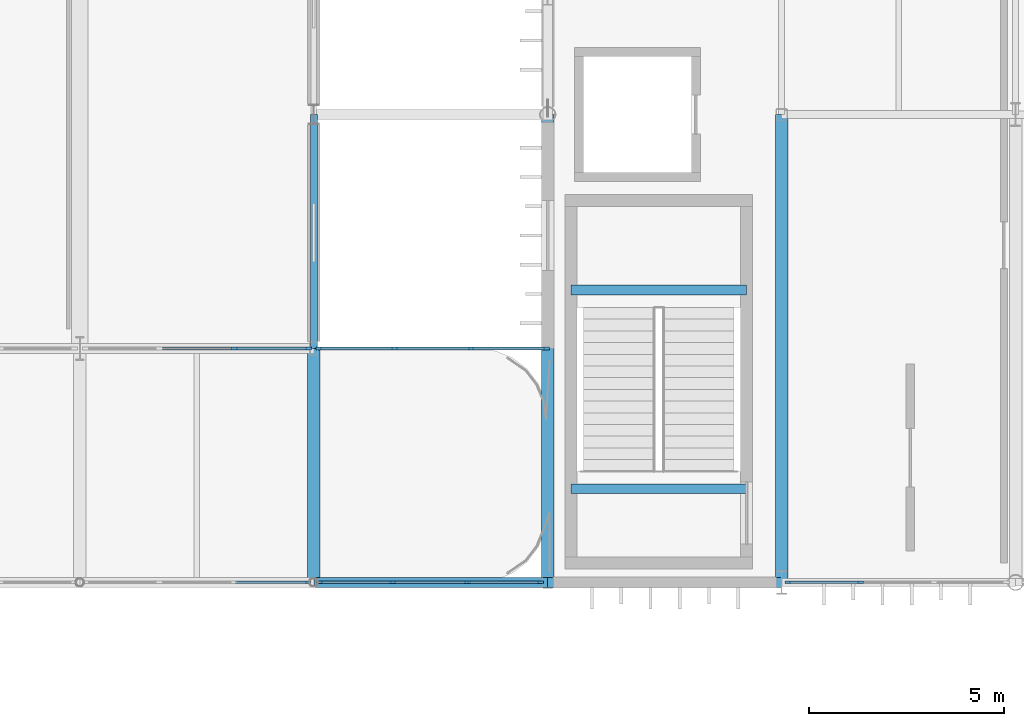
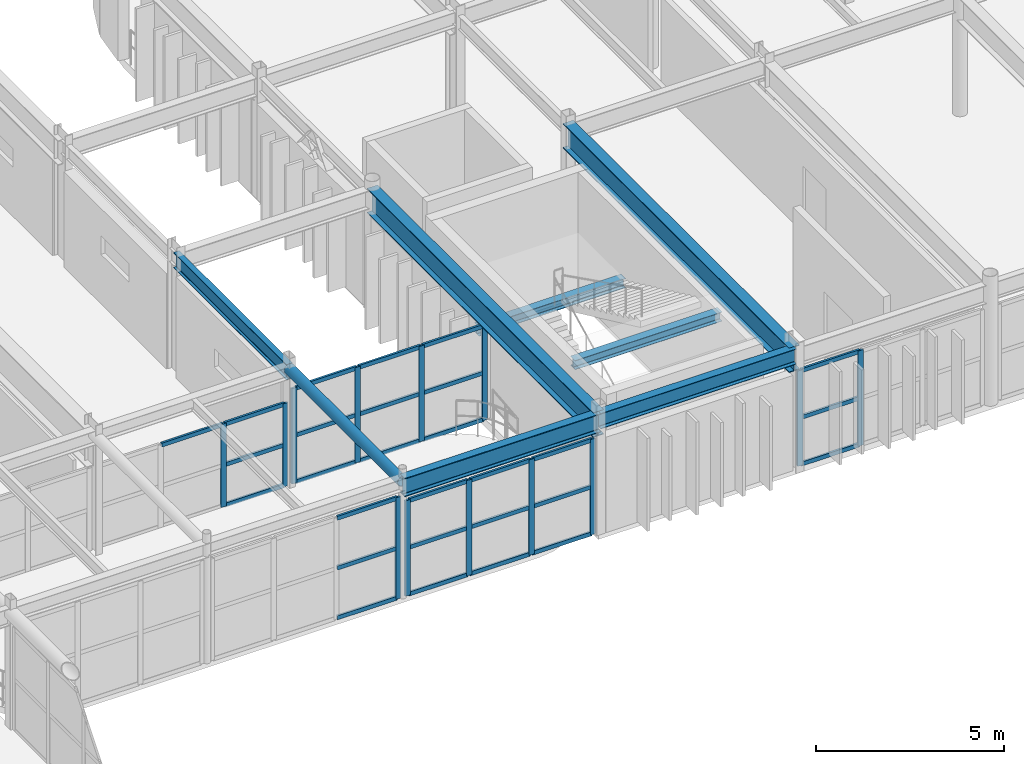
# One storey, part 64 of 116: 41 members, 8 beams, 5 elements without a shape of their own.
"""IFC4 building model written with IfcOpenShell, lengths in metres."""

from ifc_helpers import new_model, si_unit, direction, frame, origin, origin_2d, place, context, subcontext, project, spatial, rectangle, hollow_circle, i_section, extrude, material, material_profile, profile_set, type_object, element, aggregate, save


model = new_model("IFC4")

# Units and contexts
model_context = context("Model", 3, precision=1e-05, world=origin(), true_north=direction((0.0, 1.0)))
body_context = subcontext(model_context, "Body", "Model", "MODEL_VIEW")
ifc_project = project(units=[si_unit("LENGTHUNIT", "METRE"), si_unit("AREAUNIT", "SQUARE_METRE"), si_unit("VOLUMEUNIT", "CUBIC_METRE"), si_unit("PLANEANGLEUNIT", "RADIAN"), si_unit("MASSUNIT", "GRAM", prefix="KILO")], contexts=[model_context])

# Site, building, storey
site_placement = place(None, origin())
site = spatial("IfcSite", under=ifc_project, at=site_placement, CompositionType="ELEMENT")
building_placement = place(site_placement, origin())
building = spatial("IfcBuilding", under=site, at=building_placement, Name="Varnakota Square Police Headquarters", CompositionType="ELEMENT")
storey_placement = place(building_placement, frame((0.0, 0.0, 9.300048828125)))
storey = spatial("IfcBuildingStorey", under=building, at=storey_placement, Name="L02", CompositionType="ELEMENT", Elevation=9.300048828125)

# Beams
ifc_material_1 = material(Name="Steel IS 2062 Grade 350", Category="steel")
ifc_material_profile_1 = material_profile(ifc_material_1, hollow_circle(Radius=0.161865234375, WallThickness=0.0126953125, at=origin_2d()), Name="CHS 323.9x12.7")
ifc_profile_set_1 = profile_set([ifc_material_profile_1], Name="Steel IS 2062 Grade 350")
beam_type_1 = type_object("IfcBeamType", Name="BM-ARC-CHS324", PredefinedType="BEAM", material=ifc_profile_set_1)
beam_1_placement = place(storey_placement, frame((54.0, 69.0, 3.738037109375), z_axis=(0.0, 1.0, 0.0), x_axis=(-1.0, 0.0, 0.0)))
element("IfcBeam", 1, at=beam_1_placement, inside=storey, type_object=beam_type_1, Name="BMG-L02-2203", PredefinedType="BEAM", context=body_context, shape_type="SweptSolid", body=[
    extrude(hollow_circle(Radius=0.161865234375, WallThickness=0.0126953125, at=origin_2d()), origin(), (0.0, 0.0, 1.0), 6.0),
])
ifc_material_profile_2 = material_profile(ifc_material_1, i_section(OverallWidth=0.320068359375, OverallDepth=0.800048828125, WebThickness=0.01611328125, FlangeThickness=0.028076171875, at=origin_2d()), Name="BPG 800x320")
ifc_profile_set_2 = profile_set([ifc_material_profile_2], Name="Steel IS 2062 Grade 350")
beam_type_2 = type_object("IfcBeamType", Name="BM-BPG800", PredefinedType="BEAM", material=ifc_profile_set_2)
for number, where, z_axis, x_axis, name in (
    (2, (60.0, 69.0, 3.5), (0.0, 1.0, 0.0), (-1.0, 0.0, 0.0), "BMG-L02-2208"),
    (3, (66.0, 69.0, 3.5), (0.0, 1.0, 0.0), (-1.0, 0.0, 0.0), "BMG-L02-2211"),
):
    element("IfcBeam", number, at=place(storey_placement, frame(where, z_axis=z_axis, x_axis=x_axis)), inside=storey, type_object=beam_type_2, Name=name, PredefinedType="BEAM", context=body_context, shape_type="SweptSolid", body=[
        extrude(i_section(OverallWidth=0.320068359375, OverallDepth=0.800048828125, WebThickness=0.01611328125, FlangeThickness=0.028076171875, at=origin_2d()), origin(), (0.0, 0.0, 1.0), 12.0),
    ])
ifc_material_profile_3 = material_profile(ifc_material_1, i_section(OverallWidth=0.25, OverallDepth=0.300048828125, WebThickness=0.009521484375, FlangeThickness=0.010498046875, FilletRadius=0.011962890625, at=origin_2d()), Name="ISHB 300")
ifc_profile_set_3 = profile_set([ifc_material_profile_3], Name="Steel IS 2062 Grade 350")
beam_type_3 = type_object("IfcBeamType", Name="BM-ISHB300", PredefinedType="BEAM", material=ifc_profile_set_3)
for number, where, z_axis, x_axis, name in (
    (4, (60.60009765625, 76.500732421875, 1.7919921875), (1.0, 0.0, 0.0), (0.0, 1.0, 0.0), "Stair landing support beam BM-LND-0075"),
    (5, (60.60009765625, 71.400146484375, 3.800048828125), (1.0, 0.0, 0.0), (0.0, 1.0, 0.0), "Stair landing support beam BM-LND-0076"),
):
    element("IfcBeam", number, at=place(storey_placement, frame(where, z_axis=z_axis, x_axis=x_axis)), inside=storey, type_object=beam_type_3, Name=name, PredefinedType="BEAM", context=body_context, shape_type="SweptSolid", body=[
        extrude(i_section(OverallWidth=0.25, OverallDepth=0.300048828125, WebThickness=0.009521484375, FlangeThickness=0.010498046875, FilletRadius=0.011962890625, at=origin_2d()), origin(), (0.0, 0.0, 1.0), 4.5),
    ])
ifc_material_profile_4 = material_profile(ifc_material_1, i_section(OverallWidth=0.179931640625, OverallDepth=0.5, WebThickness=0.01025390625, FlangeThickness=0.01708984375, FilletRadius=0.01708984375, at=origin_2d()), Name="ISMB 500")
ifc_profile_set_4 = profile_set([ifc_material_profile_4], Name="Steel IS 2062 Grade 350")
beam_type_4 = type_object("IfcBeamType", Name="BM-ISMB500", PredefinedType="BEAM", material=ifc_profile_set_4)
beam_2_placement = place(storey_placement, frame((54.0, 75.0, 3.64990234375), z_axis=(0.0, 1.0, 0.0), x_axis=(-1.0, 0.0, 0.0)))
element("IfcBeam", 6, at=beam_2_placement, inside=storey, type_object=beam_type_4, Name="BMG-L02-2204", PredefinedType="BEAM", context=body_context, shape_type="SweptSolid", body=[
    extrude(i_section(OverallWidth=0.179931640625, OverallDepth=0.5, WebThickness=0.01025390625, FlangeThickness=0.01708984375, FilletRadius=0.01708984375, at=origin_2d()), origin(), (0.0, 0.0, 1.0), 6.0),
])
ifc_material_profile_5 = material_profile(ifc_material_1, i_section(OverallWidth=0.25, OverallDepth=0.5, WebThickness=0.010009765625, FlangeThickness=0.0146484375, FilletRadius=0.014892578125, at=origin_2d()), Name="ISWB 500")
ifc_profile_set_5 = profile_set([ifc_material_profile_5], Name="Steel IS 2062 Grade 350")
beam_type_5 = type_object("IfcBeamType", Name="BM-ISWB500", PredefinedType="BEAM", material=ifc_profile_set_5)
beam_3_placement = place(storey_placement, frame((60.0, 69.0, 3.64990234375), z_axis=(1.0, 0.0, 0.0), x_axis=(0.0, 1.0, 0.0)))
element("IfcBeam", 7, at=beam_3_placement, inside=storey, type_object=beam_type_5, Name="BMG-L02-2014", PredefinedType="BEAM", context=body_context, shape_type="SweptSolid", body=[
    extrude(i_section(OverallWidth=0.25, OverallDepth=0.5, WebThickness=0.010009765625, FlangeThickness=0.0146484375, FilletRadius=0.014892578125, at=origin_2d()), origin(), (0.0, 0.0, 1.0), 6.0),
])
ifc_material_profile_6 = material_profile(ifc_material_1, i_section(OverallWidth=0.25, OverallDepth=0.60009765625, WebThickness=0.01171875, FlangeThickness=0.023681640625, FilletRadius=0.01708984375, at=origin_2d()), Name="ISWB 600")
ifc_profile_set_6 = profile_set([ifc_material_profile_6], Name="Steel IS 2062 Grade 350")
beam_type_6 = type_object("IfcBeamType", Name="BM-ISWB600", PredefinedType="BEAM", material=ifc_profile_set_6)
beam_4_placement = place(storey_placement, frame((54.0, 69.0, 3.599853515625), z_axis=(1.0, 0.0, 0.0), x_axis=(0.0, 1.0, 0.0)))
element("IfcBeam", 8, at=beam_4_placement, inside=storey, type_object=beam_type_6, Name="BMG-L02-2013", PredefinedType="BEAM", context=body_context, shape_type="SweptSolid", body=[
    extrude(i_section(OverallWidth=0.25, OverallDepth=0.60009765625, WebThickness=0.01171875, FlangeThickness=0.023681640625, FilletRadius=0.01708984375, at=origin_2d()), origin(), (0.0, 0.0, 1.0), 6.0),
])

# Curtain wall, member
ifc_material_2 = material(Name="Anodised Aluminium Framing", Category="aluminium")
curtain_wall_type_1 = type_object("IfcCurtainWallType", Name="CW-SYS-E", PredefinedType="NOTDEFINED", material=ifc_material_2)
curtain_wall_1_placement = place(storey_placement, origin())
curtain_wall_1 = element("IfcCurtainWall", 9, at=curtain_wall_1_placement, inside=storey, type_object=curtain_wall_type_1, Name="Unitised curtain wall CWG-L02-206", PredefinedType="NOTDEFINED")
ifc_material_3 = material(Name="Anodised Aluminium 6063-T6", Category="aluminium")
ifc_material_profile_7 = material_profile(ifc_material_3, rectangle(XDim=0.06494140625, YDim=0.159912109375, at=origin_2d()), Name="ALU MULLION 65x160")
ifc_profile_set_7 = profile_set([ifc_material_profile_7], Name="Anodised Aluminium 6063-T6")
member_type_1 = type_object("IfcMemberType", Name="CWM-150", PredefinedType="MULLION", material=ifc_profile_set_7)
member_1_placement = place(storey_placement, frame((53.852783203125, 69.0, 0.0), z_axis=(0.0, 0.0, 1.0), x_axis=(0.0, 1.0, 0.0)))
member_1 = element("IfcMember", 10, at=member_1_placement, type_object=member_type_1, Name="CWG-L02-206 mullion 4", PredefinedType="MULLION", context=body_context, shape_type="SweptSolid", body=[
    extrude(rectangle(XDim=0.06494140625, YDim=0.159912109375, at=origin_2d()), origin(), (0.0, 0.0, 1.0), 3.2900390625),
])

# Curtain wall, members
curtain_wall_2_placement = place(storey_placement, origin())
curtain_wall_2 = element("IfcCurtainWall", 11, at=curtain_wall_2_placement, inside=storey, type_object=curtain_wall_type_1, Name="Unitised curtain wall CWG-L02-207", PredefinedType="NOTDEFINED")
member_2_placement = place(storey_placement, frame((51.966552734375, 75.0, 0.0), z_axis=(0.0, 0.0, 1.0), x_axis=(0.0, 1.0, 0.0)))
member_2 = element("IfcMember", 12, at=member_2_placement, type_object=member_type_1, Name="CWG-L02-207 mullion 3", PredefinedType="MULLION", context=body_context, shape_type="SweptSolid", body=[
    extrude(rectangle(XDim=0.06494140625, YDim=0.159912109375, at=origin_2d()), origin(), (0.0, 0.0, 1.0), 2.68994140625),
])
member_3_placement = place(storey_placement, frame((53.862548828125, 75.0, 0.0), z_axis=(0.0, 0.0, 1.0), x_axis=(0.0, 1.0, 0.0)))
member_3 = element("IfcMember", 13, at=member_3_placement, type_object=member_type_1, Name="CWG-L02-207 mullion 4", PredefinedType="MULLION", context=body_context, shape_type="SweptSolid", body=[
    extrude(rectangle(XDim=0.06494140625, YDim=0.159912109375, at=origin_2d()), origin(), (0.0, 0.0, 1.0), 2.68994140625),
])

curtain_wall_3_placement = place(storey_placement, origin())
curtain_wall_3 = element("IfcCurtainWall", 14, at=curtain_wall_3_placement, inside=storey, type_object=curtain_wall_type_1, Name="Unitised curtain wall CWG-L02-208", PredefinedType="NOTDEFINED")
member_4_placement = place(storey_placement, frame((54.147216796875, 69.0, 0.0), z_axis=(0.0, 0.0, 1.0), x_axis=(0.0, 1.0, 0.0)))
member_4 = element("IfcMember", 15, at=member_4_placement, type_object=member_type_1, Name="CWG-L02-208 mullion 1", PredefinedType="MULLION", context=body_context, shape_type="SweptSolid", body=[
    extrude(rectangle(XDim=0.06494140625, YDim=0.159912109375, at=origin_2d()), origin(), (0.0, 0.0, 1.0), 3.08984375),
])
member_5_placement = place(storey_placement, frame((56.024658203125, 69.0, 0.0), z_axis=(0.0, 0.0, 1.0), x_axis=(0.0, 1.0, 0.0)))
member_5 = element("IfcMember", 16, at=member_5_placement, type_object=member_type_1, Name="CWG-L02-208 mullion 2", PredefinedType="MULLION", context=body_context, shape_type="SweptSolid", body=[
    extrude(rectangle(XDim=0.06494140625, YDim=0.159912109375, at=origin_2d()), origin(), (0.0, 0.0, 1.0), 3.08984375),
])
member_6_placement = place(storey_placement, frame((57.934814453125, 69.0, 0.0), z_axis=(0.0, 0.0, 1.0), x_axis=(0.0, 1.0, 0.0)))
member_6 = element("IfcMember", 17, at=member_6_placement, type_object=member_type_1, Name="CWG-L02-208 mullion 3", PredefinedType="MULLION", context=body_context, shape_type="SweptSolid", body=[
    extrude(rectangle(XDim=0.06494140625, YDim=0.159912109375, at=origin_2d()), origin(), (0.0, 0.0, 1.0), 3.08984375),
])
member_7_placement = place(storey_placement, frame((59.8125, 69.0, 0.0), z_axis=(0.0, 0.0, 1.0), x_axis=(0.0, 1.0, 0.0)))
member_7 = element("IfcMember", 18, at=member_7_placement, type_object=member_type_1, Name="CWG-L02-208 mullion 4", PredefinedType="MULLION", context=body_context, shape_type="SweptSolid", body=[
    extrude(rectangle(XDim=0.06494140625, YDim=0.159912109375, at=origin_2d()), origin(), (0.0, 0.0, 1.0), 3.08984375),
])

curtain_wall_4_placement = place(storey_placement, origin())
curtain_wall_4 = element("IfcCurtainWall", 19, at=curtain_wall_4_placement, inside=storey, type_object=curtain_wall_type_1, Name="Unitised curtain wall CWG-L02-209", PredefinedType="NOTDEFINED")
member_8_placement = place(storey_placement, frame((54.137451171875, 75.0, 0.0), z_axis=(0.0, 0.0, 1.0), x_axis=(0.0, 1.0, 0.0)))
member_8 = element("IfcMember", 20, at=member_8_placement, type_object=member_type_1, Name="CWG-L02-209 mullion 1", PredefinedType="MULLION", context=body_context, shape_type="SweptSolid", body=[
    extrude(rectangle(XDim=0.06494140625, YDim=0.159912109375, at=origin_2d()), origin(), (0.0, 0.0, 1.0), 3.08984375),
])
member_9_placement = place(storey_placement, frame((56.070068359375, 75.0, 0.0), z_axis=(0.0, 0.0, 1.0), x_axis=(0.0, 1.0, 0.0)))
member_9 = element("IfcMember", 21, at=member_9_placement, type_object=member_type_1, Name="CWG-L02-209 mullion 2", PredefinedType="MULLION", context=body_context, shape_type="SweptSolid", body=[
    extrude(rectangle(XDim=0.06494140625, YDim=0.159912109375, at=origin_2d()), origin(), (0.0, 0.0, 1.0), 3.08984375),
])
member_10_placement = place(storey_placement, frame((58.034912109375, 75.0, 0.0), z_axis=(0.0, 0.0, 1.0), x_axis=(0.0, 1.0, 0.0)))
member_10 = element("IfcMember", 22, at=member_10_placement, type_object=member_type_1, Name="CWG-L02-209 mullion 3", PredefinedType="MULLION", context=body_context, shape_type="SweptSolid", body=[
    extrude(rectangle(XDim=0.06494140625, YDim=0.159912109375, at=origin_2d()), origin(), (0.0, 0.0, 1.0), 3.08984375),
])
member_11_placement = place(storey_placement, frame((59.967529296875, 75.0, 0.0), z_axis=(0.0, 0.0, 1.0), x_axis=(0.0, 1.0, 0.0)))
member_11 = element("IfcMember", 23, at=member_11_placement, type_object=member_type_1, Name="CWG-L02-209 mullion 4", PredefinedType="MULLION", context=body_context, shape_type="SweptSolid", body=[
    extrude(rectangle(XDim=0.06494140625, YDim=0.159912109375, at=origin_2d()), origin(), (0.0, 0.0, 1.0), 3.08984375),
])

curtain_wall_type_2 = type_object("IfcCurtainWallType", Name="CW-SYS-B", PredefinedType="NOTDEFINED", material=ifc_material_2)
curtain_wall_5_placement = place(storey_placement, origin())
curtain_wall_5 = element("IfcCurtainWall", 24, at=curtain_wall_5_placement, inside=storey, type_object=curtain_wall_type_2, Name="Unitised curtain wall CWG-L02-236", PredefinedType="NOTDEFINED")
member_12_placement = place(storey_placement, frame((66.16259765625, 69.0, 0.0), z_axis=(0.0, 0.0, 1.0), x_axis=(0.0, 1.0, 0.0)))
member_12 = element("IfcMember", 25, at=member_12_placement, type_object=member_type_1, Name="CWG-L02-236 mullion 1", PredefinedType="MULLION", context=body_context, shape_type="SweptSolid", body=[
    extrude(rectangle(XDim=0.06494140625, YDim=0.159912109375, at=origin_2d()), origin(), (0.0, 0.0, 1.0), 3.08984375),
])
member_13_placement = place(storey_placement, frame((68.017333984375, 69.0, 0.0), z_axis=(0.0, 0.0, 1.0), x_axis=(0.0, 1.0, 0.0)))
member_13 = element("IfcMember", 26, at=member_13_placement, type_object=member_type_1, Name="CWG-L02-236 mullion 2", PredefinedType="MULLION", context=body_context, shape_type="SweptSolid", body=[
    extrude(rectangle(XDim=0.06494140625, YDim=0.159912109375, at=origin_2d()), origin(), (0.0, 0.0, 1.0), 3.08984375),
])

# Member
ifc_material_profile_8 = material_profile(ifc_material_3, rectangle(XDim=0.06494140625, YDim=0.1298828125, at=origin_2d()), Name="ALU TRANSOM 65x130")
ifc_profile_set_8 = profile_set([ifc_material_profile_8], Name="Anodised Aluminium 6063-T6")
member_type_2 = type_object("IfcMemberType", Name="CWT-120", PredefinedType="USERDEFINED", material=ifc_profile_set_8)
member_14_placement = place(storey_placement, frame((51.994384765625, 69.0, 0.032470703125), z_axis=(1.0, 0.0, 0.0), x_axis=(0.0, 1.0, 0.0)))
member_14 = element("IfcMember", 27, at=member_14_placement, type_object=member_type_2, Name="CWG-L02-206 transom 3.1", ObjectType="TRANSOM", PredefinedType="USERDEFINED", context=body_context, shape_type="SweptSolid", body=[
    extrude(rectangle(XDim=0.06494140625, YDim=0.1298828125, at=origin_2d()), origin(), (0.0, 0.0, 1.0), 1.825927734375),
])

member_15_placement = place(storey_placement, frame((51.994384765625, 69.0, 1.64501953125), z_axis=(1.0, 0.0, 0.0), x_axis=(0.0, 1.0, 0.0)))
member_15 = element("IfcMember", 28, at=member_15_placement, type_object=member_type_2, Name="CWG-L02-206 transom 3.2", ObjectType="TRANSOM", PredefinedType="USERDEFINED", context=body_context, shape_type="SweptSolid", body=[
    extrude(rectangle(XDim=0.06494140625, YDim=0.1298828125, at=origin_2d()), origin(), (0.0, 0.0, 1.0), 1.825927734375),
])

member_16_placement = place(storey_placement, frame((51.994384765625, 69.0, 3.257568359375), z_axis=(1.0, 0.0, 0.0), x_axis=(0.0, 1.0, 0.0)))
member_16 = element("IfcMember", 29, at=member_16_placement, type_object=member_type_2, Name="CWG-L02-206 transom 3.3", ObjectType="TRANSOM", PredefinedType="USERDEFINED", context=body_context, shape_type="SweptSolid", body=[
    extrude(rectangle(XDim=0.06494140625, YDim=0.1298828125, at=origin_2d()), origin(), (0.0, 0.0, 1.0), 1.825927734375),
])

aggregate(curtain_wall_1, [member_1, member_14, member_15, member_16])

member_17_placement = place(storey_placement, frame((50.07080078125, 75.0, 2.657470703125), z_axis=(1.0, 0.0, 0.0), x_axis=(0.0, 1.0, 0.0)))
member_17 = element("IfcMember", 30, at=member_17_placement, type_object=member_type_2, Name="CWG-L02-207 transom 2.3", ObjectType="TRANSOM", PredefinedType="USERDEFINED", context=body_context, shape_type="SweptSolid", body=[
    extrude(rectangle(XDim=0.06494140625, YDim=0.1298828125, at=origin_2d()), origin(), (0.0, 0.0, 1.0), 1.86328125),
])

member_18_placement = place(storey_placement, frame((51.999267578125, 75.0, 0.032470703125), z_axis=(1.0, 0.0, 0.0), x_axis=(0.0, 1.0, 0.0)))
member_18 = element("IfcMember", 31, at=member_18_placement, type_object=member_type_2, Name="CWG-L02-207 transom 3.1", ObjectType="TRANSOM", PredefinedType="USERDEFINED", context=body_context, shape_type="SweptSolid", body=[
    extrude(rectangle(XDim=0.06494140625, YDim=0.1298828125, at=origin_2d()), origin(), (0.0, 0.0, 1.0), 1.830810546875),
])

member_19_placement = place(storey_placement, frame((51.999267578125, 75.0, 1.344970703125), z_axis=(1.0, 0.0, 0.0), x_axis=(0.0, 1.0, 0.0)))
member_19 = element("IfcMember", 32, at=member_19_placement, type_object=member_type_2, Name="CWG-L02-207 transom 3.2", ObjectType="TRANSOM", PredefinedType="USERDEFINED", context=body_context, shape_type="SweptSolid", body=[
    extrude(rectangle(XDim=0.06494140625, YDim=0.1298828125, at=origin_2d()), origin(), (0.0, 0.0, 1.0), 1.830810546875),
])

member_20_placement = place(storey_placement, frame((51.999267578125, 75.0, 2.657470703125), z_axis=(1.0, 0.0, 0.0), x_axis=(0.0, 1.0, 0.0)))
member_20 = element("IfcMember", 33, at=member_20_placement, type_object=member_type_2, Name="CWG-L02-207 transom 3.3", ObjectType="TRANSOM", PredefinedType="USERDEFINED", context=body_context, shape_type="SweptSolid", body=[
    extrude(rectangle(XDim=0.06494140625, YDim=0.1298828125, at=origin_2d()), origin(), (0.0, 0.0, 1.0), 1.830810546875),
])

aggregate(curtain_wall_2, [member_2, member_3, member_17, member_18, member_19, member_20])

member_21_placement = place(storey_placement, frame((54.1796875, 69.0, 0.032470703125), z_axis=(1.0, 0.0, 0.0), x_axis=(0.0, 1.0, 0.0)))
member_21 = element("IfcMember", 34, at=member_21_placement, type_object=member_type_2, Name="CWG-L02-208 transom 1.1", ObjectType="TRANSOM", PredefinedType="USERDEFINED", context=body_context, shape_type="SweptSolid", body=[
    extrude(rectangle(XDim=0.06494140625, YDim=0.1298828125, at=origin_2d()), origin(), (0.0, 0.0, 1.0), 1.8125),
])

member_22_placement = place(storey_placement, frame((54.1796875, 69.0, 1.544921875), z_axis=(1.0, 0.0, 0.0), x_axis=(0.0, 1.0, 0.0)))
member_22 = element("IfcMember", 35, at=member_22_placement, type_object=member_type_2, Name="CWG-L02-208 transom 1.2", ObjectType="TRANSOM", PredefinedType="USERDEFINED", context=body_context, shape_type="SweptSolid", body=[
    extrude(rectangle(XDim=0.06494140625, YDim=0.1298828125, at=origin_2d()), origin(), (0.0, 0.0, 1.0), 1.8125),
])

member_23_placement = place(storey_placement, frame((54.1796875, 69.0, 3.057373046875), z_axis=(1.0, 0.0, 0.0), x_axis=(0.0, 1.0, 0.0)))
member_23 = element("IfcMember", 36, at=member_23_placement, type_object=member_type_2, Name="CWG-L02-208 transom 1.3", ObjectType="TRANSOM", PredefinedType="USERDEFINED", context=body_context, shape_type="SweptSolid", body=[
    extrude(rectangle(XDim=0.06494140625, YDim=0.1298828125, at=origin_2d()), origin(), (0.0, 0.0, 1.0), 1.8125),
])

member_24_placement = place(storey_placement, frame((56.05712890625, 69.0, 0.032470703125), z_axis=(1.0, 0.0, 0.0), x_axis=(0.0, 1.0, 0.0)))
member_24 = element("IfcMember", 37, at=member_24_placement, type_object=member_type_2, Name="CWG-L02-208 transom 2.1", ObjectType="TRANSOM", PredefinedType="USERDEFINED", context=body_context, shape_type="SweptSolid", body=[
    extrude(rectangle(XDim=0.06494140625, YDim=0.1298828125, at=origin_2d()), origin(), (0.0, 0.0, 1.0), 1.84521484375),
])

member_25_placement = place(storey_placement, frame((56.05712890625, 69.0, 1.544921875), z_axis=(1.0, 0.0, 0.0), x_axis=(0.0, 1.0, 0.0)))
member_25 = element("IfcMember", 38, at=member_25_placement, type_object=member_type_2, Name="CWG-L02-208 transom 2.2", ObjectType="TRANSOM", PredefinedType="USERDEFINED", context=body_context, shape_type="SweptSolid", body=[
    extrude(rectangle(XDim=0.06494140625, YDim=0.1298828125, at=origin_2d()), origin(), (0.0, 0.0, 1.0), 1.84521484375),
])

member_26_placement = place(storey_placement, frame((56.05712890625, 69.0, 3.057373046875), z_axis=(1.0, 0.0, 0.0), x_axis=(0.0, 1.0, 0.0)))
member_26 = element("IfcMember", 39, at=member_26_placement, type_object=member_type_2, Name="CWG-L02-208 transom 2.3", ObjectType="TRANSOM", PredefinedType="USERDEFINED", context=body_context, shape_type="SweptSolid", body=[
    extrude(rectangle(XDim=0.06494140625, YDim=0.1298828125, at=origin_2d()), origin(), (0.0, 0.0, 1.0), 1.84521484375),
])

member_27_placement = place(storey_placement, frame((57.96728515625, 69.0, 0.032470703125), z_axis=(1.0, 0.0, 0.0), x_axis=(0.0, 1.0, 0.0)))
member_27 = element("IfcMember", 40, at=member_27_placement, type_object=member_type_2, Name="CWG-L02-208 transom 3.1", ObjectType="TRANSOM", PredefinedType="USERDEFINED", context=body_context, shape_type="SweptSolid", body=[
    extrude(rectangle(XDim=0.06494140625, YDim=0.1298828125, at=origin_2d()), origin(), (0.0, 0.0, 1.0), 1.812744140625),
])

member_28_placement = place(storey_placement, frame((57.96728515625, 69.0, 1.544921875), z_axis=(1.0, 0.0, 0.0), x_axis=(0.0, 1.0, 0.0)))
member_28 = element("IfcMember", 41, at=member_28_placement, type_object=member_type_2, Name="CWG-L02-208 transom 3.2", ObjectType="TRANSOM", PredefinedType="USERDEFINED", context=body_context, shape_type="SweptSolid", body=[
    extrude(rectangle(XDim=0.06494140625, YDim=0.1298828125, at=origin_2d()), origin(), (0.0, 0.0, 1.0), 1.812744140625),
])

member_29_placement = place(storey_placement, frame((57.96728515625, 69.0, 3.057373046875), z_axis=(1.0, 0.0, 0.0), x_axis=(0.0, 1.0, 0.0)))
member_29 = element("IfcMember", 42, at=member_29_placement, type_object=member_type_2, Name="CWG-L02-208 transom 3.3", ObjectType="TRANSOM", PredefinedType="USERDEFINED", context=body_context, shape_type="SweptSolid", body=[
    extrude(rectangle(XDim=0.06494140625, YDim=0.1298828125, at=origin_2d()), origin(), (0.0, 0.0, 1.0), 1.812744140625),
])

aggregate(curtain_wall_3, [member_4, member_5, member_6, member_7, member_21, member_22, member_23, member_24, member_25, member_26, member_27, member_28, member_29])

member_30_placement = place(storey_placement, frame((54.169921875, 75.0, 0.032470703125), z_axis=(1.0, 0.0, 0.0), x_axis=(0.0, 1.0, 0.0)))
member_30 = element("IfcMember", 43, at=member_30_placement, type_object=member_type_2, Name="CWG-L02-209 transom 1.1", ObjectType="TRANSOM", PredefinedType="USERDEFINED", context=body_context, shape_type="SweptSolid", body=[
    extrude(rectangle(XDim=0.06494140625, YDim=0.1298828125, at=origin_2d()), origin(), (0.0, 0.0, 1.0), 1.86767578125),
])

member_31_placement = place(storey_placement, frame((54.169921875, 75.0, 1.544921875), z_axis=(1.0, 0.0, 0.0), x_axis=(0.0, 1.0, 0.0)))
member_31 = element("IfcMember", 44, at=member_31_placement, type_object=member_type_2, Name="CWG-L02-209 transom 1.2", ObjectType="TRANSOM", PredefinedType="USERDEFINED", context=body_context, shape_type="SweptSolid", body=[
    extrude(rectangle(XDim=0.06494140625, YDim=0.1298828125, at=origin_2d()), origin(), (0.0, 0.0, 1.0), 1.86767578125),
])

member_32_placement = place(storey_placement, frame((54.169921875, 75.0, 3.057373046875), z_axis=(1.0, 0.0, 0.0), x_axis=(0.0, 1.0, 0.0)))
member_32 = element("IfcMember", 45, at=member_32_placement, type_object=member_type_2, Name="CWG-L02-209 transom 1.3", ObjectType="TRANSOM", PredefinedType="USERDEFINED", context=body_context, shape_type="SweptSolid", body=[
    extrude(rectangle(XDim=0.06494140625, YDim=0.1298828125, at=origin_2d()), origin(), (0.0, 0.0, 1.0), 1.86767578125),
])

member_33_placement = place(storey_placement, frame((56.1025390625, 75.0, 0.032470703125), z_axis=(1.0, 0.0, 0.0), x_axis=(0.0, 1.0, 0.0)))
member_33 = element("IfcMember", 46, at=member_33_placement, type_object=member_type_2, Name="CWG-L02-209 transom 2.1", ObjectType="TRANSOM", PredefinedType="USERDEFINED", context=body_context, shape_type="SweptSolid", body=[
    extrude(rectangle(XDim=0.06494140625, YDim=0.1298828125, at=origin_2d()), origin(), (0.0, 0.0, 1.0), 1.89990234375),
])

member_34_placement = place(storey_placement, frame((56.1025390625, 75.0, 1.544921875), z_axis=(1.0, 0.0, 0.0), x_axis=(0.0, 1.0, 0.0)))
member_34 = element("IfcMember", 47, at=member_34_placement, type_object=member_type_2, Name="CWG-L02-209 transom 2.2", ObjectType="TRANSOM", PredefinedType="USERDEFINED", context=body_context, shape_type="SweptSolid", body=[
    extrude(rectangle(XDim=0.06494140625, YDim=0.1298828125, at=origin_2d()), origin(), (0.0, 0.0, 1.0), 1.89990234375),
])

member_35_placement = place(storey_placement, frame((56.1025390625, 75.0, 3.057373046875), z_axis=(1.0, 0.0, 0.0), x_axis=(0.0, 1.0, 0.0)))
member_35 = element("IfcMember", 48, at=member_35_placement, type_object=member_type_2, Name="CWG-L02-209 transom 2.3", ObjectType="TRANSOM", PredefinedType="USERDEFINED", context=body_context, shape_type="SweptSolid", body=[
    extrude(rectangle(XDim=0.06494140625, YDim=0.1298828125, at=origin_2d()), origin(), (0.0, 0.0, 1.0), 1.89990234375),
])

member_36_placement = place(storey_placement, frame((58.0673828125, 75.0, 0.032470703125), z_axis=(1.0, 0.0, 0.0), x_axis=(0.0, 1.0, 0.0)))
member_36 = element("IfcMember", 49, at=member_36_placement, type_object=member_type_2, Name="CWG-L02-209 transom 3.1", ObjectType="TRANSOM", PredefinedType="USERDEFINED", context=body_context, shape_type="SweptSolid", body=[
    extrude(rectangle(XDim=0.06494140625, YDim=0.1298828125, at=origin_2d()), origin(), (0.0, 0.0, 1.0), 1.86767578125),
])

member_37_placement = place(storey_placement, frame((58.0673828125, 75.0, 1.544921875), z_axis=(1.0, 0.0, 0.0), x_axis=(0.0, 1.0, 0.0)))
member_37 = element("IfcMember", 50, at=member_37_placement, type_object=member_type_2, Name="CWG-L02-209 transom 3.2", ObjectType="TRANSOM", PredefinedType="USERDEFINED", context=body_context, shape_type="SweptSolid", body=[
    extrude(rectangle(XDim=0.06494140625, YDim=0.1298828125, at=origin_2d()), origin(), (0.0, 0.0, 1.0), 1.86767578125),
])

member_38_placement = place(storey_placement, frame((58.0673828125, 75.0, 3.057373046875), z_axis=(1.0, 0.0, 0.0), x_axis=(0.0, 1.0, 0.0)))
member_38 = element("IfcMember", 51, at=member_38_placement, type_object=member_type_2, Name="CWG-L02-209 transom 3.3", ObjectType="TRANSOM", PredefinedType="USERDEFINED", context=body_context, shape_type="SweptSolid", body=[
    extrude(rectangle(XDim=0.06494140625, YDim=0.1298828125, at=origin_2d()), origin(), (0.0, 0.0, 1.0), 1.86767578125),
])

aggregate(curtain_wall_4, [member_8, member_9, member_10, member_11, member_30, member_31, member_32, member_33, member_34, member_35, member_36, member_37, member_38])

member_39_placement = place(storey_placement, frame((66.195068359375, 69.0, 0.032470703125), z_axis=(1.0, 0.0, 0.0), x_axis=(0.0, 1.0, 0.0)))
member_39 = element("IfcMember", 52, at=member_39_placement, type_object=member_type_2, Name="CWG-L02-236 transom 1.1", ObjectType="TRANSOM", PredefinedType="USERDEFINED", context=body_context, shape_type="SweptSolid", body=[
    extrude(rectangle(XDim=0.06494140625, YDim=0.1298828125, at=origin_2d()), origin(), (0.0, 0.0, 1.0), 1.789794921875),
])

member_40_placement = place(storey_placement, frame((66.195068359375, 69.0, 1.544921875), z_axis=(1.0, 0.0, 0.0), x_axis=(0.0, 1.0, 0.0)))
member_40 = element("IfcMember", 53, at=member_40_placement, type_object=member_type_2, Name="CWG-L02-236 transom 1.2", ObjectType="TRANSOM", PredefinedType="USERDEFINED", context=body_context, shape_type="SweptSolid", body=[
    extrude(rectangle(XDim=0.06494140625, YDim=0.1298828125, at=origin_2d()), origin(), (0.0, 0.0, 1.0), 1.789794921875),
])

member_41_placement = place(storey_placement, frame((66.195068359375, 69.0, 3.057373046875), z_axis=(1.0, 0.0, 0.0), x_axis=(0.0, 1.0, 0.0)))
member_41 = element("IfcMember", 54, at=member_41_placement, type_object=member_type_2, Name="CWG-L02-236 transom 1.3", ObjectType="TRANSOM", PredefinedType="USERDEFINED", context=body_context, shape_type="SweptSolid", body=[
    extrude(rectangle(XDim=0.06494140625, YDim=0.1298828125, at=origin_2d()), origin(), (0.0, 0.0, 1.0), 1.789794921875),
])

aggregate(curtain_wall_5, [member_12, member_13, member_39, member_40, member_41])

save(model, "model.ifc")
